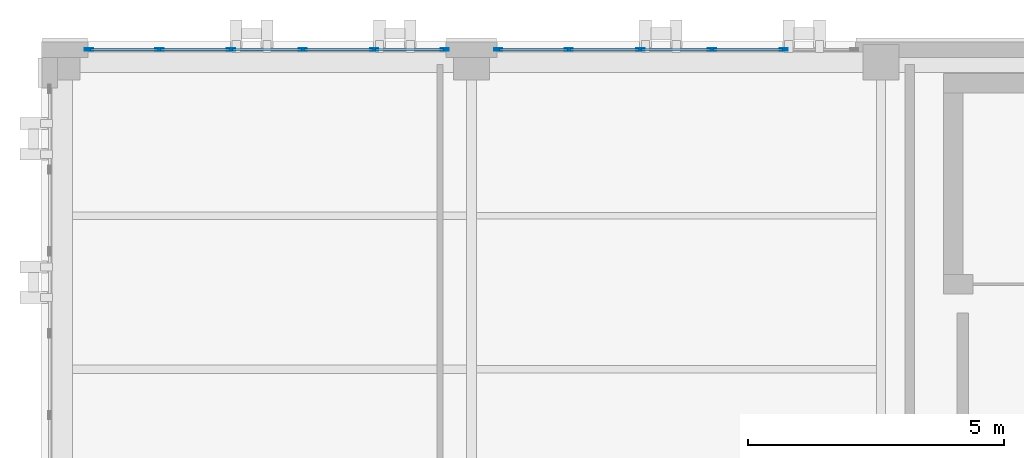
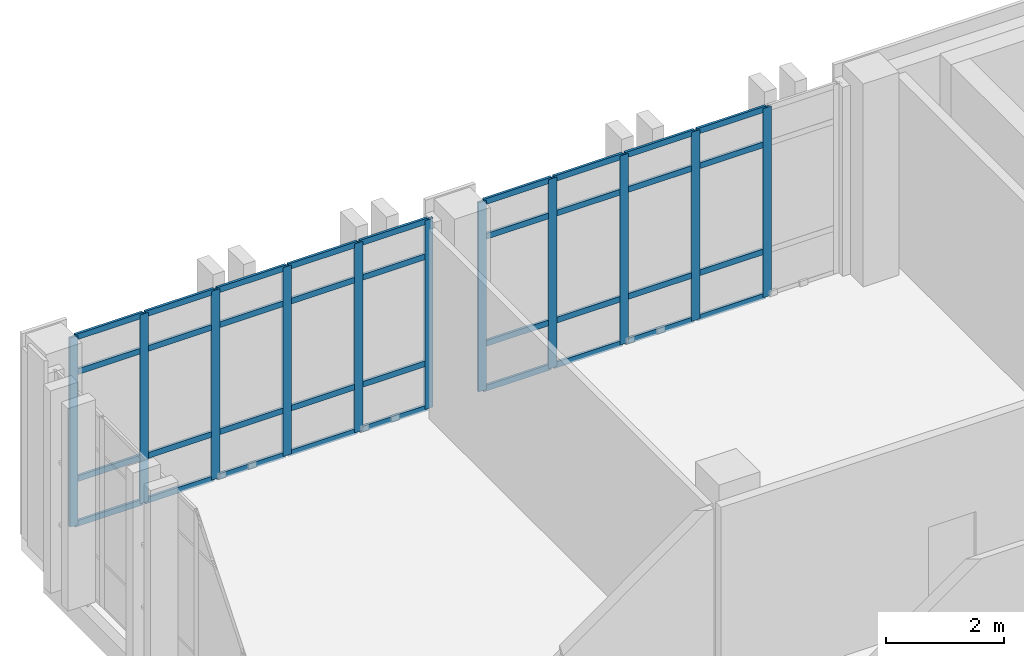
# One storey, part 93 of 193: 47 members, 2 elements without a shape of their own.
"""IFC4 building model written with IfcOpenShell, lengths in metres."""

from ifc_helpers import new_model, si_unit, direction, frame, origin, origin_2d, place, context, subcontext, project, spatial, hollow_rectangle, extrude, material, layer, layer_set, material_profile, profile_set, type_object, element, aggregate, save


model = new_model("IFC4")

# Units and contexts
model_context = context("Model", 3, precision=1e-05, world=origin(), true_north=direction((0.0, 1.0)))
body_context = subcontext(model_context, "Body", "Model", "MODEL_VIEW")
ifc_project = project(units=[si_unit("LENGTHUNIT", "METRE"), si_unit("AREAUNIT", "SQUARE_METRE"), si_unit("VOLUMEUNIT", "CUBIC_METRE"), si_unit("PLANEANGLEUNIT", "RADIAN"), si_unit("MASSUNIT", "GRAM", prefix="KILO")], contexts=[model_context])

# Site, building, storey
site_placement = place(None, origin())
site = spatial("IfcSite", under=ifc_project, at=site_placement, CompositionType="ELEMENT")
building_placement = place(site_placement, origin())
building = spatial("IfcBuilding", under=site, at=building_placement, Name="Qalavern Law Courts", CompositionType="ELEMENT")
storey_placement = place(building_placement, frame((0.0, 0.0, 10.199951171875)))
storey = spatial("IfcBuildingStorey", under=building, at=storey_placement, Name="L02", CompositionType="ELEMENT", Elevation=10.199951171875)

# Curtain wall, members
ifc_material_1 = material(Name="Anodised aluminium and insulated glazing", Category="aluminium")
ifc_layer = layer(ifc_material_1, 0.166015625)
ifc_layer_set = layer_set([ifc_layer], Name="Anodised aluminium and insulated glazing")
curtain_wall_type = type_object("IfcCurtainWallType", Name="ENV-CW-LIB", PredefinedType="USERDEFINED", material=ifc_layer_set)
curtain_wall_1_placement = place(storey_placement, origin())
curtain_wall_1 = element("IfcCurtainWall", 1, at=curtain_wall_1_placement, inside=storey, type_object=curtain_wall_type, Name="V5 unitised curtain wall L02 north 6", ObjectType="UNITISED CURTAIN WALL", PredefinedType="USERDEFINED")
ifc_material_2 = material(Name="Anodised aluminium", Category="aluminium")
ifc_material_profile_1 = material_profile(ifc_material_2, hollow_rectangle(XDim=0.048095703125, YDim=0.159912109375, WallThickness=0.00390625, at=origin_2d()), Name="ALU MULLION 48x160")
ifc_profile_set_1 = profile_set([ifc_material_profile_1], Name="Anodised aluminium")
member_type_1 = type_object("IfcMemberType", Name="ENV-CWM-48x160", PredefinedType="MULLION", material=ifc_profile_set_1)
member_1_placement = place(storey_placement, frame((16.5, 112.844970703125, 0.0), z_axis=(0.0, 0.0, 1.0), x_axis=(0.0, -1.0, 0.0)))
member_1 = element("IfcMember", 2, at=member_1_placement, type_object=member_type_1, Name="CW-05 mullion 2", PredefinedType="MULLION", context=body_context, shape_type="SweptSolid", body=[
    extrude(hollow_rectangle(XDim=0.048095703125, YDim=0.159912109375, WallThickness=0.00390625, at=origin_2d()), origin(), (0.0, 0.0, 1.0), 3.9150390625),
])
member_2_placement = place(storey_placement, frame((15.10009765625, 112.844970703125, 0.0), z_axis=(0.0, 0.0, 1.0), x_axis=(0.0, -1.0, 0.0)))
member_2 = element("IfcMember", 3, at=member_2_placement, type_object=member_type_1, Name="CW-05 mullion 3", PredefinedType="MULLION", context=body_context, shape_type="SweptSolid", body=[
    extrude(hollow_rectangle(XDim=0.048095703125, YDim=0.159912109375, WallThickness=0.00390625, at=origin_2d()), origin(), (0.0, 0.0, 1.0), 3.9150390625),
])
member_3_placement = place(storey_placement, frame((13.699951171875, 112.844970703125, 0.0), z_axis=(0.0, 0.0, 1.0), x_axis=(0.0, -1.0, 0.0)))
member_3 = element("IfcMember", 4, at=member_3_placement, type_object=member_type_1, Name="CW-05 mullion 4", PredefinedType="MULLION", context=body_context, shape_type="SweptSolid", body=[
    extrude(hollow_rectangle(XDim=0.048095703125, YDim=0.159912109375, WallThickness=0.00390625, at=origin_2d()), origin(), (0.0, 0.0, 1.0), 3.9150390625),
])
member_4_placement = place(storey_placement, frame((12.300048828125, 112.844970703125, 0.0), z_axis=(0.0, 0.0, 1.0), x_axis=(0.0, -1.0, 0.0)))
member_4 = element("IfcMember", 5, at=member_4_placement, type_object=member_type_1, Name="CW-05 mullion 5", PredefinedType="MULLION", context=body_context, shape_type="SweptSolid", body=[
    extrude(hollow_rectangle(XDim=0.048095703125, YDim=0.159912109375, WallThickness=0.00390625, at=origin_2d()), origin(), (0.0, 0.0, 1.0), 3.9150390625),
])
member_5_placement = place(storey_placement, frame((10.924072265625, 112.844970703125, 0.0), z_axis=(0.0, 0.0, 1.0), x_axis=(0.0, -1.0, 0.0)))
member_5 = element("IfcMember", 6, at=member_5_placement, type_object=member_type_1, Name="CW-05 mullion 6", PredefinedType="MULLION", context=body_context, shape_type="SweptSolid", body=[
    extrude(hollow_rectangle(XDim=0.048095703125, YDim=0.159912109375, WallThickness=0.00390625, at=origin_2d()), origin(), (0.0, 0.0, 1.0), 3.9150390625),
])

curtain_wall_2_placement = place(storey_placement, origin())
curtain_wall_2 = element("IfcCurtainWall", 7, at=curtain_wall_2_placement, inside=storey, type_object=curtain_wall_type, Name="V5 unitised curtain wall L02 north 7", ObjectType="UNITISED CURTAIN WALL", PredefinedType="USERDEFINED")
member_6_placement = place(storey_placement, frame((9.8759765625, 112.844970703125, 0.0), z_axis=(0.0, 0.0, 1.0), x_axis=(0.0, -1.0, 0.0)))
member_6 = element("IfcMember", 8, at=member_6_placement, type_object=member_type_1, Name="CW-05 mullion 1", PredefinedType="MULLION", context=body_context, shape_type="SweptSolid", body=[
    extrude(hollow_rectangle(XDim=0.048095703125, YDim=0.159912109375, WallThickness=0.00390625, at=origin_2d()), origin(), (0.0, 0.0, 1.0), 3.9150390625),
])
member_7_placement = place(storey_placement, frame((8.5, 112.844970703125, 0.0), z_axis=(0.0, 0.0, 1.0), x_axis=(0.0, -1.0, 0.0)))
member_7 = element("IfcMember", 9, at=member_7_placement, type_object=member_type_1, Name="CW-05 mullion 2", PredefinedType="MULLION", context=body_context, shape_type="SweptSolid", body=[
    extrude(hollow_rectangle(XDim=0.048095703125, YDim=0.159912109375, WallThickness=0.00390625, at=origin_2d()), origin(), (0.0, 0.0, 1.0), 3.9150390625),
])
member_8_placement = place(storey_placement, frame((7.10009765625, 112.844970703125, 0.0), z_axis=(0.0, 0.0, 1.0), x_axis=(0.0, -1.0, 0.0)))
member_8 = element("IfcMember", 10, at=member_8_placement, type_object=member_type_1, Name="CW-05 mullion 3", PredefinedType="MULLION", context=body_context, shape_type="SweptSolid", body=[
    extrude(hollow_rectangle(XDim=0.048095703125, YDim=0.159912109375, WallThickness=0.00390625, at=origin_2d()), origin(), (0.0, 0.0, 1.0), 3.9150390625),
])
member_9_placement = place(storey_placement, frame((5.699951171875, 112.844970703125, 0.0), z_axis=(0.0, 0.0, 1.0), x_axis=(0.0, -1.0, 0.0)))
member_9 = element("IfcMember", 11, at=member_9_placement, type_object=member_type_1, Name="CW-05 mullion 4", PredefinedType="MULLION", context=body_context, shape_type="SweptSolid", body=[
    extrude(hollow_rectangle(XDim=0.048095703125, YDim=0.159912109375, WallThickness=0.00390625, at=origin_2d()), origin(), (0.0, 0.0, 1.0), 3.9150390625),
])
member_10_placement = place(storey_placement, frame((4.300048828125, 112.844970703125, 0.0), z_axis=(0.0, 0.0, 1.0), x_axis=(0.0, -1.0, 0.0)))
member_10 = element("IfcMember", 12, at=member_10_placement, type_object=member_type_1, Name="CW-05 mullion 5", PredefinedType="MULLION", context=body_context, shape_type="SweptSolid", body=[
    extrude(hollow_rectangle(XDim=0.048095703125, YDim=0.159912109375, WallThickness=0.00390625, at=origin_2d()), origin(), (0.0, 0.0, 1.0), 3.9150390625),
])
member_11_placement = place(storey_placement, frame((2.924072265625, 112.844970703125, 0.0), z_axis=(0.0, 0.0, 1.0), x_axis=(0.0, -1.0, 0.0)))
member_11 = element("IfcMember", 13, at=member_11_placement, type_object=member_type_1, Name="CW-05 mullion 6", PredefinedType="MULLION", context=body_context, shape_type="SweptSolid", body=[
    extrude(hollow_rectangle(XDim=0.048095703125, YDim=0.159912109375, WallThickness=0.00390625, at=origin_2d()), origin(), (0.0, 0.0, 1.0), 3.9150390625),
])

# Member
ifc_material_profile_2 = material_profile(ifc_material_2, hollow_rectangle(XDim=0.048095703125, YDim=0.1201171875, WallThickness=0.00390625, at=origin_2d()), Name="ALU TRANSOM 48x120")
ifc_profile_set_2 = profile_set([ifc_material_profile_2], Name="Anodised aluminium")
member_type_2 = type_object("IfcMemberType", Name="ENV-CWT-48x120", PredefinedType="USERDEFINED", material=ifc_profile_set_2)
member_12_placement = place(storey_placement, frame((16.47607421875, 112.844970703125, 0.024169921875), z_axis=(-1.0, 0.0, 0.0), x_axis=(0.0, -1.0, 0.0)))
member_12 = element("IfcMember", 14, at=member_12_placement, type_object=member_type_2, Name="CW-05 transom 2.1", ObjectType="TRANSOM", PredefinedType="USERDEFINED", context=body_context, shape_type="SweptSolid", body=[
    extrude(hollow_rectangle(XDim=0.048095703125, YDim=0.1201171875, WallThickness=0.00390625, at=origin_2d()), origin(), (0.0, 0.0, 1.0), 1.35205078125),
])

member_13_placement = place(storey_placement, frame((16.47607421875, 112.844970703125, 0.949951171875), z_axis=(-1.0, 0.0, 0.0), x_axis=(0.0, -1.0, 0.0)))
member_13 = element("IfcMember", 15, at=member_13_placement, type_object=member_type_2, Name="CW-05 transom 2.2", ObjectType="TRANSOM", PredefinedType="USERDEFINED", context=body_context, shape_type="SweptSolid", body=[
    extrude(hollow_rectangle(XDim=0.048095703125, YDim=0.1201171875, WallThickness=0.00390625, at=origin_2d()), origin(), (0.0, 0.0, 1.0), 1.35205078125),
])

member_14_placement = place(storey_placement, frame((16.47607421875, 112.844970703125, 3.1650390625), z_axis=(-1.0, 0.0, 0.0), x_axis=(0.0, -1.0, 0.0)))
member_14 = element("IfcMember", 16, at=member_14_placement, type_object=member_type_2, Name="CW-05 transom 2.3", ObjectType="TRANSOM", PredefinedType="USERDEFINED", context=body_context, shape_type="SweptSolid", body=[
    extrude(hollow_rectangle(XDim=0.048095703125, YDim=0.1201171875, WallThickness=0.00390625, at=origin_2d()), origin(), (0.0, 0.0, 1.0), 1.35205078125),
])

member_15_placement = place(storey_placement, frame((16.47607421875, 112.844970703125, 3.89111328125), z_axis=(-1.0, 0.0, 0.0), x_axis=(0.0, -1.0, 0.0)))
member_15 = element("IfcMember", 17, at=member_15_placement, type_object=member_type_2, Name="CW-05 transom 2.4", ObjectType="TRANSOM", PredefinedType="USERDEFINED", context=body_context, shape_type="SweptSolid", body=[
    extrude(hollow_rectangle(XDim=0.048095703125, YDim=0.1201171875, WallThickness=0.00390625, at=origin_2d()), origin(), (0.0, 0.0, 1.0), 1.35205078125),
])

member_16_placement = place(storey_placement, frame((15.075927734375, 112.844970703125, 0.024169921875), z_axis=(-1.0, 0.0, 0.0), x_axis=(0.0, -1.0, 0.0)))
member_16 = element("IfcMember", 18, at=member_16_placement, type_object=member_type_2, Name="CW-05 transom 3.1", ObjectType="TRANSOM", PredefinedType="USERDEFINED", context=body_context, shape_type="SweptSolid", body=[
    extrude(hollow_rectangle(XDim=0.048095703125, YDim=0.1201171875, WallThickness=0.00390625, at=origin_2d()), origin(), (0.0, 0.0, 1.0), 1.351806640625),
])

member_17_placement = place(storey_placement, frame((15.075927734375, 112.844970703125, 0.949951171875), z_axis=(-1.0, 0.0, 0.0), x_axis=(0.0, -1.0, 0.0)))
member_17 = element("IfcMember", 19, at=member_17_placement, type_object=member_type_2, Name="CW-05 transom 3.2", ObjectType="TRANSOM", PredefinedType="USERDEFINED", context=body_context, shape_type="SweptSolid", body=[
    extrude(hollow_rectangle(XDim=0.048095703125, YDim=0.1201171875, WallThickness=0.00390625, at=origin_2d()), origin(), (0.0, 0.0, 1.0), 1.351806640625),
])

member_18_placement = place(storey_placement, frame((15.075927734375, 112.844970703125, 3.1650390625), z_axis=(-1.0, 0.0, 0.0), x_axis=(0.0, -1.0, 0.0)))
member_18 = element("IfcMember", 20, at=member_18_placement, type_object=member_type_2, Name="CW-05 transom 3.3", ObjectType="TRANSOM", PredefinedType="USERDEFINED", context=body_context, shape_type="SweptSolid", body=[
    extrude(hollow_rectangle(XDim=0.048095703125, YDim=0.1201171875, WallThickness=0.00390625, at=origin_2d()), origin(), (0.0, 0.0, 1.0), 1.351806640625),
])

member_19_placement = place(storey_placement, frame((15.075927734375, 112.844970703125, 3.89111328125), z_axis=(-1.0, 0.0, 0.0), x_axis=(0.0, -1.0, 0.0)))
member_19 = element("IfcMember", 21, at=member_19_placement, type_object=member_type_2, Name="CW-05 transom 3.4", ObjectType="TRANSOM", PredefinedType="USERDEFINED", context=body_context, shape_type="SweptSolid", body=[
    extrude(hollow_rectangle(XDim=0.048095703125, YDim=0.1201171875, WallThickness=0.00390625, at=origin_2d()), origin(), (0.0, 0.0, 1.0), 1.351806640625),
])

member_20_placement = place(storey_placement, frame((13.676025390625, 112.844970703125, 0.024169921875), z_axis=(-1.0, 0.0, 0.0), x_axis=(0.0, -1.0, 0.0)))
member_20 = element("IfcMember", 22, at=member_20_placement, type_object=member_type_2, Name="CW-05 transom 4.1", ObjectType="TRANSOM", PredefinedType="USERDEFINED", context=body_context, shape_type="SweptSolid", body=[
    extrude(hollow_rectangle(XDim=0.048095703125, YDim=0.1201171875, WallThickness=0.00390625, at=origin_2d()), origin(), (0.0, 0.0, 1.0), 1.35205078125),
])

member_21_placement = place(storey_placement, frame((13.676025390625, 112.844970703125, 0.949951171875), z_axis=(-1.0, 0.0, 0.0), x_axis=(0.0, -1.0, 0.0)))
member_21 = element("IfcMember", 23, at=member_21_placement, type_object=member_type_2, Name="CW-05 transom 4.2", ObjectType="TRANSOM", PredefinedType="USERDEFINED", context=body_context, shape_type="SweptSolid", body=[
    extrude(hollow_rectangle(XDim=0.048095703125, YDim=0.1201171875, WallThickness=0.00390625, at=origin_2d()), origin(), (0.0, 0.0, 1.0), 1.35205078125),
])

member_22_placement = place(storey_placement, frame((13.676025390625, 112.844970703125, 3.1650390625), z_axis=(-1.0, 0.0, 0.0), x_axis=(0.0, -1.0, 0.0)))
member_22 = element("IfcMember", 24, at=member_22_placement, type_object=member_type_2, Name="CW-05 transom 4.3", ObjectType="TRANSOM", PredefinedType="USERDEFINED", context=body_context, shape_type="SweptSolid", body=[
    extrude(hollow_rectangle(XDim=0.048095703125, YDim=0.1201171875, WallThickness=0.00390625, at=origin_2d()), origin(), (0.0, 0.0, 1.0), 1.35205078125),
])

member_23_placement = place(storey_placement, frame((13.676025390625, 112.844970703125, 3.89111328125), z_axis=(-1.0, 0.0, 0.0), x_axis=(0.0, -1.0, 0.0)))
member_23 = element("IfcMember", 25, at=member_23_placement, type_object=member_type_2, Name="CW-05 transom 4.4", ObjectType="TRANSOM", PredefinedType="USERDEFINED", context=body_context, shape_type="SweptSolid", body=[
    extrude(hollow_rectangle(XDim=0.048095703125, YDim=0.1201171875, WallThickness=0.00390625, at=origin_2d()), origin(), (0.0, 0.0, 1.0), 1.35205078125),
])

member_24_placement = place(storey_placement, frame((12.27587890625, 112.844970703125, 0.024169921875), z_axis=(-1.0, 0.0, 0.0), x_axis=(0.0, -1.0, 0.0)))
member_24 = element("IfcMember", 26, at=member_24_placement, type_object=member_type_2, Name="CW-05 transom 5.1", ObjectType="TRANSOM", PredefinedType="USERDEFINED", context=body_context, shape_type="SweptSolid", body=[
    extrude(hollow_rectangle(XDim=0.048095703125, YDim=0.1201171875, WallThickness=0.00390625, at=origin_2d()), origin(), (0.0, 0.0, 1.0), 1.327880859375),
])

member_25_placement = place(storey_placement, frame((12.27587890625, 112.844970703125, 0.949951171875), z_axis=(-1.0, 0.0, 0.0), x_axis=(0.0, -1.0, 0.0)))
member_25 = element("IfcMember", 27, at=member_25_placement, type_object=member_type_2, Name="CW-05 transom 5.2", ObjectType="TRANSOM", PredefinedType="USERDEFINED", context=body_context, shape_type="SweptSolid", body=[
    extrude(hollow_rectangle(XDim=0.048095703125, YDim=0.1201171875, WallThickness=0.00390625, at=origin_2d()), origin(), (0.0, 0.0, 1.0), 1.327880859375),
])

member_26_placement = place(storey_placement, frame((12.27587890625, 112.844970703125, 3.1650390625), z_axis=(-1.0, 0.0, 0.0), x_axis=(0.0, -1.0, 0.0)))
member_26 = element("IfcMember", 28, at=member_26_placement, type_object=member_type_2, Name="CW-05 transom 5.3", ObjectType="TRANSOM", PredefinedType="USERDEFINED", context=body_context, shape_type="SweptSolid", body=[
    extrude(hollow_rectangle(XDim=0.048095703125, YDim=0.1201171875, WallThickness=0.00390625, at=origin_2d()), origin(), (0.0, 0.0, 1.0), 1.327880859375),
])

member_27_placement = place(storey_placement, frame((12.27587890625, 112.844970703125, 3.89111328125), z_axis=(-1.0, 0.0, 0.0), x_axis=(0.0, -1.0, 0.0)))
member_27 = element("IfcMember", 29, at=member_27_placement, type_object=member_type_2, Name="CW-05 transom 5.4", ObjectType="TRANSOM", PredefinedType="USERDEFINED", context=body_context, shape_type="SweptSolid", body=[
    extrude(hollow_rectangle(XDim=0.048095703125, YDim=0.1201171875, WallThickness=0.00390625, at=origin_2d()), origin(), (0.0, 0.0, 1.0), 1.327880859375),
])

aggregate(curtain_wall_1, [member_1, member_2, member_3, member_4, member_5, member_12, member_13, member_14, member_15, member_16, member_17, member_18, member_19, member_20, member_21, member_22, member_23, member_24, member_25, member_26, member_27])

member_28_placement = place(storey_placement, frame((9.85205078125, 112.844970703125, 0.024169921875), z_axis=(-1.0, 0.0, 0.0), x_axis=(0.0, -1.0, 0.0)))
member_28 = element("IfcMember", 30, at=member_28_placement, type_object=member_type_2, Name="CW-05 transom 1.1", ObjectType="TRANSOM", PredefinedType="USERDEFINED", context=body_context, shape_type="SweptSolid", body=[
    extrude(hollow_rectangle(XDim=0.048095703125, YDim=0.1201171875, WallThickness=0.00390625, at=origin_2d()), origin(), (0.0, 0.0, 1.0), 1.328125),
])

member_29_placement = place(storey_placement, frame((9.85205078125, 112.844970703125, 0.949951171875), z_axis=(-1.0, 0.0, 0.0), x_axis=(0.0, -1.0, 0.0)))
member_29 = element("IfcMember", 31, at=member_29_placement, type_object=member_type_2, Name="CW-05 transom 1.2", ObjectType="TRANSOM", PredefinedType="USERDEFINED", context=body_context, shape_type="SweptSolid", body=[
    extrude(hollow_rectangle(XDim=0.048095703125, YDim=0.1201171875, WallThickness=0.00390625, at=origin_2d()), origin(), (0.0, 0.0, 1.0), 1.328125),
])

member_30_placement = place(storey_placement, frame((9.85205078125, 112.844970703125, 3.1650390625), z_axis=(-1.0, 0.0, 0.0), x_axis=(0.0, -1.0, 0.0)))
member_30 = element("IfcMember", 32, at=member_30_placement, type_object=member_type_2, Name="CW-05 transom 1.3", ObjectType="TRANSOM", PredefinedType="USERDEFINED", context=body_context, shape_type="SweptSolid", body=[
    extrude(hollow_rectangle(XDim=0.048095703125, YDim=0.1201171875, WallThickness=0.00390625, at=origin_2d()), origin(), (0.0, 0.0, 1.0), 1.328125),
])

member_31_placement = place(storey_placement, frame((9.85205078125, 112.844970703125, 3.89111328125), z_axis=(-1.0, 0.0, 0.0), x_axis=(0.0, -1.0, 0.0)))
member_31 = element("IfcMember", 33, at=member_31_placement, type_object=member_type_2, Name="CW-05 transom 1.4", ObjectType="TRANSOM", PredefinedType="USERDEFINED", context=body_context, shape_type="SweptSolid", body=[
    extrude(hollow_rectangle(XDim=0.048095703125, YDim=0.1201171875, WallThickness=0.00390625, at=origin_2d()), origin(), (0.0, 0.0, 1.0), 1.328125),
])

member_32_placement = place(storey_placement, frame((8.47607421875, 112.844970703125, 0.024169921875), z_axis=(-1.0, 0.0, 0.0), x_axis=(0.0, -1.0, 0.0)))
member_32 = element("IfcMember", 34, at=member_32_placement, type_object=member_type_2, Name="CW-05 transom 2.1", ObjectType="TRANSOM", PredefinedType="USERDEFINED", context=body_context, shape_type="SweptSolid", body=[
    extrude(hollow_rectangle(XDim=0.048095703125, YDim=0.1201171875, WallThickness=0.00390625, at=origin_2d()), origin(), (0.0, 0.0, 1.0), 1.35205078125),
])

member_33_placement = place(storey_placement, frame((8.47607421875, 112.844970703125, 0.949951171875), z_axis=(-1.0, 0.0, 0.0), x_axis=(0.0, -1.0, 0.0)))
member_33 = element("IfcMember", 35, at=member_33_placement, type_object=member_type_2, Name="CW-05 transom 2.2", ObjectType="TRANSOM", PredefinedType="USERDEFINED", context=body_context, shape_type="SweptSolid", body=[
    extrude(hollow_rectangle(XDim=0.048095703125, YDim=0.1201171875, WallThickness=0.00390625, at=origin_2d()), origin(), (0.0, 0.0, 1.0), 1.35205078125),
])

member_34_placement = place(storey_placement, frame((8.47607421875, 112.844970703125, 3.1650390625), z_axis=(-1.0, 0.0, 0.0), x_axis=(0.0, -1.0, 0.0)))
member_34 = element("IfcMember", 36, at=member_34_placement, type_object=member_type_2, Name="CW-05 transom 2.3", ObjectType="TRANSOM", PredefinedType="USERDEFINED", context=body_context, shape_type="SweptSolid", body=[
    extrude(hollow_rectangle(XDim=0.048095703125, YDim=0.1201171875, WallThickness=0.00390625, at=origin_2d()), origin(), (0.0, 0.0, 1.0), 1.35205078125),
])

member_35_placement = place(storey_placement, frame((8.47607421875, 112.844970703125, 3.89111328125), z_axis=(-1.0, 0.0, 0.0), x_axis=(0.0, -1.0, 0.0)))
member_35 = element("IfcMember", 37, at=member_35_placement, type_object=member_type_2, Name="CW-05 transom 2.4", ObjectType="TRANSOM", PredefinedType="USERDEFINED", context=body_context, shape_type="SweptSolid", body=[
    extrude(hollow_rectangle(XDim=0.048095703125, YDim=0.1201171875, WallThickness=0.00390625, at=origin_2d()), origin(), (0.0, 0.0, 1.0), 1.35205078125),
])

member_36_placement = place(storey_placement, frame((7.075927734375, 112.844970703125, 0.024169921875), z_axis=(-1.0, 0.0, 0.0), x_axis=(0.0, -1.0, 0.0)))
member_36 = element("IfcMember", 38, at=member_36_placement, type_object=member_type_2, Name="CW-05 transom 3.1", ObjectType="TRANSOM", PredefinedType="USERDEFINED", context=body_context, shape_type="SweptSolid", body=[
    extrude(hollow_rectangle(XDim=0.048095703125, YDim=0.1201171875, WallThickness=0.00390625, at=origin_2d()), origin(), (0.0, 0.0, 1.0), 1.351806640625),
])

member_37_placement = place(storey_placement, frame((7.075927734375, 112.844970703125, 0.949951171875), z_axis=(-1.0, 0.0, 0.0), x_axis=(0.0, -1.0, 0.0)))
member_37 = element("IfcMember", 39, at=member_37_placement, type_object=member_type_2, Name="CW-05 transom 3.2", ObjectType="TRANSOM", PredefinedType="USERDEFINED", context=body_context, shape_type="SweptSolid", body=[
    extrude(hollow_rectangle(XDim=0.048095703125, YDim=0.1201171875, WallThickness=0.00390625, at=origin_2d()), origin(), (0.0, 0.0, 1.0), 1.351806640625),
])

member_38_placement = place(storey_placement, frame((7.075927734375, 112.844970703125, 3.1650390625), z_axis=(-1.0, 0.0, 0.0), x_axis=(0.0, -1.0, 0.0)))
member_38 = element("IfcMember", 40, at=member_38_placement, type_object=member_type_2, Name="CW-05 transom 3.3", ObjectType="TRANSOM", PredefinedType="USERDEFINED", context=body_context, shape_type="SweptSolid", body=[
    extrude(hollow_rectangle(XDim=0.048095703125, YDim=0.1201171875, WallThickness=0.00390625, at=origin_2d()), origin(), (0.0, 0.0, 1.0), 1.351806640625),
])

member_39_placement = place(storey_placement, frame((7.075927734375, 112.844970703125, 3.89111328125), z_axis=(-1.0, 0.0, 0.0), x_axis=(0.0, -1.0, 0.0)))
member_39 = element("IfcMember", 41, at=member_39_placement, type_object=member_type_2, Name="CW-05 transom 3.4", ObjectType="TRANSOM", PredefinedType="USERDEFINED", context=body_context, shape_type="SweptSolid", body=[
    extrude(hollow_rectangle(XDim=0.048095703125, YDim=0.1201171875, WallThickness=0.00390625, at=origin_2d()), origin(), (0.0, 0.0, 1.0), 1.351806640625),
])

member_40_placement = place(storey_placement, frame((5.676025390625, 112.844970703125, 0.024169921875), z_axis=(-1.0, 0.0, 0.0), x_axis=(0.0, -1.0, 0.0)))
member_40 = element("IfcMember", 42, at=member_40_placement, type_object=member_type_2, Name="CW-05 transom 4.1", ObjectType="TRANSOM", PredefinedType="USERDEFINED", context=body_context, shape_type="SweptSolid", body=[
    extrude(hollow_rectangle(XDim=0.048095703125, YDim=0.1201171875, WallThickness=0.00390625, at=origin_2d()), origin(), (0.0, 0.0, 1.0), 1.35205078125),
])

member_41_placement = place(storey_placement, frame((5.676025390625, 112.844970703125, 0.949951171875), z_axis=(-1.0, 0.0, 0.0), x_axis=(0.0, -1.0, 0.0)))
member_41 = element("IfcMember", 43, at=member_41_placement, type_object=member_type_2, Name="CW-05 transom 4.2", ObjectType="TRANSOM", PredefinedType="USERDEFINED", context=body_context, shape_type="SweptSolid", body=[
    extrude(hollow_rectangle(XDim=0.048095703125, YDim=0.1201171875, WallThickness=0.00390625, at=origin_2d()), origin(), (0.0, 0.0, 1.0), 1.35205078125),
])

member_42_placement = place(storey_placement, frame((5.676025390625, 112.844970703125, 3.1650390625), z_axis=(-1.0, 0.0, 0.0), x_axis=(0.0, -1.0, 0.0)))
member_42 = element("IfcMember", 44, at=member_42_placement, type_object=member_type_2, Name="CW-05 transom 4.3", ObjectType="TRANSOM", PredefinedType="USERDEFINED", context=body_context, shape_type="SweptSolid", body=[
    extrude(hollow_rectangle(XDim=0.048095703125, YDim=0.1201171875, WallThickness=0.00390625, at=origin_2d()), origin(), (0.0, 0.0, 1.0), 1.35205078125),
])

member_43_placement = place(storey_placement, frame((5.676025390625, 112.844970703125, 3.89111328125), z_axis=(-1.0, 0.0, 0.0), x_axis=(0.0, -1.0, 0.0)))
member_43 = element("IfcMember", 45, at=member_43_placement, type_object=member_type_2, Name="CW-05 transom 4.4", ObjectType="TRANSOM", PredefinedType="USERDEFINED", context=body_context, shape_type="SweptSolid", body=[
    extrude(hollow_rectangle(XDim=0.048095703125, YDim=0.1201171875, WallThickness=0.00390625, at=origin_2d()), origin(), (0.0, 0.0, 1.0), 1.35205078125),
])

member_44_placement = place(storey_placement, frame((4.27587890625, 112.844970703125, 0.024169921875), z_axis=(-1.0, 0.0, 0.0), x_axis=(0.0, -1.0, 0.0)))
member_44 = element("IfcMember", 46, at=member_44_placement, type_object=member_type_2, Name="CW-05 transom 5.1", ObjectType="TRANSOM", PredefinedType="USERDEFINED", context=body_context, shape_type="SweptSolid", body=[
    extrude(hollow_rectangle(XDim=0.048095703125, YDim=0.1201171875, WallThickness=0.00390625, at=origin_2d()), origin(), (0.0, 0.0, 1.0), 1.327880859375),
])

member_45_placement = place(storey_placement, frame((4.27587890625, 112.844970703125, 0.949951171875), z_axis=(-1.0, 0.0, 0.0), x_axis=(0.0, -1.0, 0.0)))
member_45 = element("IfcMember", 47, at=member_45_placement, type_object=member_type_2, Name="CW-05 transom 5.2", ObjectType="TRANSOM", PredefinedType="USERDEFINED", context=body_context, shape_type="SweptSolid", body=[
    extrude(hollow_rectangle(XDim=0.048095703125, YDim=0.1201171875, WallThickness=0.00390625, at=origin_2d()), origin(), (0.0, 0.0, 1.0), 1.327880859375),
])

member_46_placement = place(storey_placement, frame((4.27587890625, 112.844970703125, 3.1650390625), z_axis=(-1.0, 0.0, 0.0), x_axis=(0.0, -1.0, 0.0)))
member_46 = element("IfcMember", 48, at=member_46_placement, type_object=member_type_2, Name="CW-05 transom 5.3", ObjectType="TRANSOM", PredefinedType="USERDEFINED", context=body_context, shape_type="SweptSolid", body=[
    extrude(hollow_rectangle(XDim=0.048095703125, YDim=0.1201171875, WallThickness=0.00390625, at=origin_2d()), origin(), (0.0, 0.0, 1.0), 1.327880859375),
])

member_47_placement = place(storey_placement, frame((4.27587890625, 112.844970703125, 3.89111328125), z_axis=(-1.0, 0.0, 0.0), x_axis=(0.0, -1.0, 0.0)))
member_47 = element("IfcMember", 49, at=member_47_placement, type_object=member_type_2, Name="CW-05 transom 5.4", ObjectType="TRANSOM", PredefinedType="USERDEFINED", context=body_context, shape_type="SweptSolid", body=[
    extrude(hollow_rectangle(XDim=0.048095703125, YDim=0.1201171875, WallThickness=0.00390625, at=origin_2d()), origin(), (0.0, 0.0, 1.0), 1.327880859375),
])

aggregate(curtain_wall_2, [member_6, member_7, member_8, member_9, member_10, member_11, member_28, member_29, member_30, member_31, member_32, member_33, member_34, member_35, member_36, member_37, member_38, member_39, member_40, member_41, member_42, member_43, member_44, member_45, member_46, member_47])

save(model, "model.ifc")
